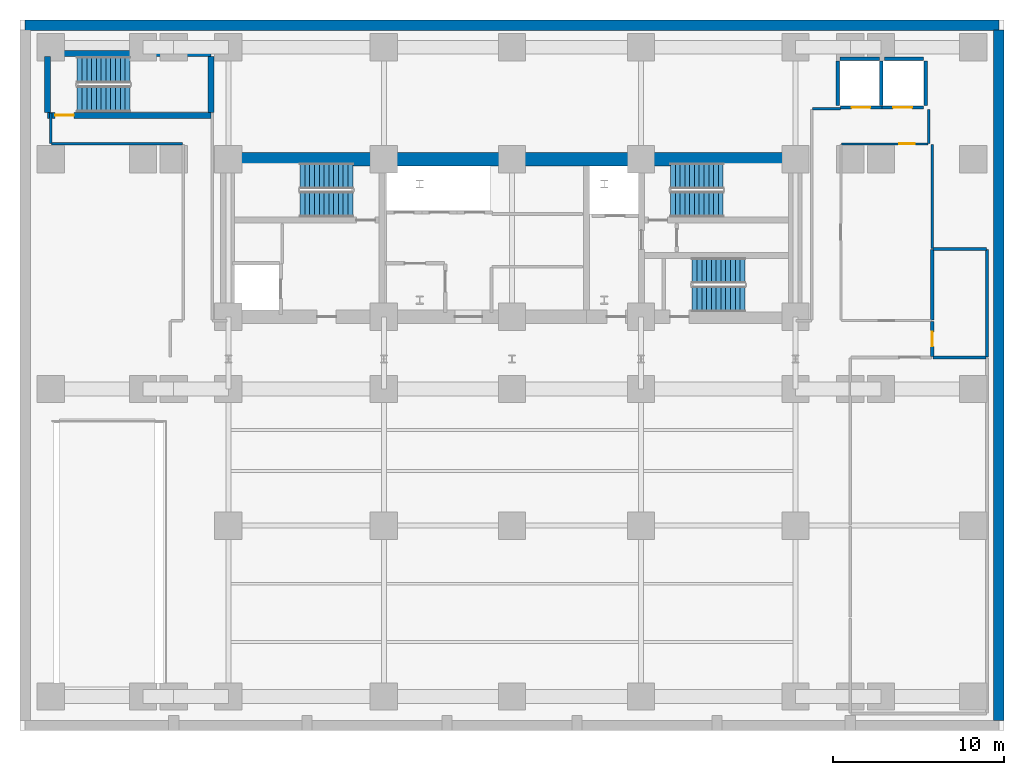
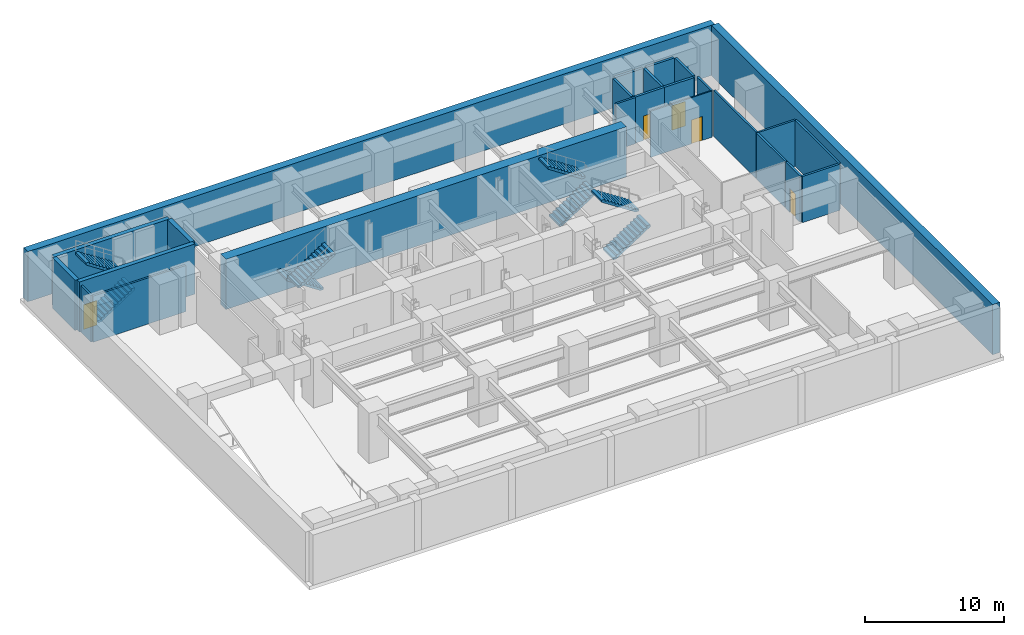
# One storey, part 4 of 8: 25 walls, 8 stair flights, 5 doors, 5 openings, 4 elements without a shape of their own.
"""IFC4 building model written with IfcOpenShell, lengths in metres."""

from ifc_helpers import new_model, si_unit, direction, frame, frame_2d, origin, place, context, subcontext, project, spatial, polyline, rectangle, outline, extrude, material, layer, layer_set, type_object, element, fill, aggregate, save


model = new_model("IFC4")

# Units and contexts
model_context = context("Model", 3, precision=1e-05, world=origin(), true_north=direction((0.0, 1.0)))
body_context = subcontext(model_context, "Body", "Model", "MODEL_VIEW")
ifc_project = project(units=[si_unit("LENGTHUNIT", "METRE"), si_unit("AREAUNIT", "SQUARE_METRE"), si_unit("VOLUMEUNIT", "CUBIC_METRE"), si_unit("PLANEANGLEUNIT", "RADIAN"), si_unit("MASSUNIT", "GRAM", prefix="KILO")], contexts=[model_context])

# Site, building, storey
site_placement = place(None, origin())
site = spatial("IfcSite", under=ifc_project, at=site_placement, CompositionType="ELEMENT")
building_placement = place(site_placement, origin())
building = spatial("IfcBuilding", under=site, at=building_placement, Name="Zarnavel Station Tower", CompositionType="ELEMENT")
storey_placement = place(building_placement, frame((0.0, 0.0, -4.39990234375)))
storey = spatial("IfcBuildingStorey", under=building, at=storey_placement, Name="B01", CompositionType="ELEMENT", Elevation=-4.39990234375)

# Wall
ifc_material_1 = material(Name="Concrete C50/60", Category="concrete")
ifc_layer_1 = layer(ifc_material_1, 0.35009765625)
ifc_layer_set_1 = layer_set([ifc_layer_1], Name="CW_350")
wall_type_1 = type_object("IfcWallType", Name="CW_350", PredefinedType="SHEAR", material=ifc_layer_set_1)
wall_1_placement = place(storey_placement, frame((1.6201171875, 43.239990234375, 0.0), z_axis=(0.0, 0.0, 1.0), x_axis=(1.0, 0.0, 0.0)))
element("IfcWall", 1, at=wall_1_placement, inside=storey, type_object=wall_type_1, Name="B01 Rear Core Shear Wall ST4-N", PredefinedType="SHEAR", context=body_context, shape_type="SweptSolid", body=[
    extrude(rectangle(XDim=9.559814453125, YDim=0.35009765625, at=frame_2d((4.77978515625, 0.0))), origin(), (0.0, 0.0, 1.0), 4.39990234375),
])

# Wall, opening, door
wall_2_placement = place(storey_placement, frame((11.179931640625, 39.6201171875, 0.0), z_axis=(0.0, 0.0, 1.0), x_axis=(-1.0, 0.0, 0.0)))
wall_2 = element("IfcWall", 2, at=wall_2_placement, inside=storey, type_object=wall_type_1, Name="B01 Rear Core Shear Wall ST4-S", PredefinedType="SHEAR", context=body_context, shape_type="SweptSolid", body=[
    extrude(rectangle(XDim=9.559814453125, YDim=0.35009765625, at=frame_2d((4.77978515625, 0.0))), origin(), (0.0, 0.0, 1.0), 4.39990234375),
])
opening_1_placement = place(wall_2_placement, frame((8.030029296875, 0.0, 0.0)))
opening_1 = element("IfcOpeningElement", 3, at=opening_1_placement, cuts=wall_2, Name="Opening FD01", PredefinedType="OPENING", context=body_context, shape_type="SweptSolid", body=[
    extrude(rectangle(XDim=1.10009765625, YDim=2.14990234375, at=frame_2d((0.550048828125, 1.074951171875))), frame((0.0, 0.18505859375, 0.0), z_axis=(0.0, -1.0, 0.0), x_axis=(1.0, 0.0, 0.0)), (0.0, 0.0, 1.0), 0.3701171875),
])
ifc_material_2 = material(Name="Painted Galvanised Steel and Hardwood Leaf", Category="steel")
door_type_1 = type_object("IfcDoorType", Name="ID_STAIR_1100", OperationType="NOTDEFINED", PredefinedType="DOOR", material=ifc_material_2)
door_1_placement = place(opening_1_placement, origin())
door_1 = element("IfcDoor", 4, at=door_1_placement, inside=storey, type_object=door_type_1, Name="B01 Podium Stair ST4 Fire Door", OperationType="SINGLE_SWING_RIGHT", OverallHeight=2.14990234375, OverallWidth=1.10009765625, PredefinedType="DOOR", context=body_context, shape_type="SweptSolid", body=[
    extrude(rectangle(XDim=1.10009765625, YDim=2.14990234375, at=frame_2d((0.550048828125, 1.074951171875))), frame((0.0, 0.02490234375, 0.0), z_axis=(0.0, -1.0, 0.0), x_axis=(1.0, 0.0, 0.0)), (0.0, 0.0, 1.0), 0.050048828125),
])
fill(opening_1, door_1)

# Walls
for number, where, z_axis, x_axis, name in (
    (5, (1.6201171875, 39.794921875, 0.0), (0.0, 0.0, 1.0), (0.0, 1.0, 0.0), "B01 Rear Core Shear Wall ST4-W"),
    (6, (11.179931640625, 39.794921875, 0.0), (0.0, 0.0, 1.0), (0.0, 1.0, 0.0), "B01 Rear Core Shear Wall ST4-E"),
):
    element("IfcWall", number, at=place(storey_placement, frame(where, z_axis=z_axis, x_axis=x_axis)), inside=storey, type_object=wall_type_1, Name=name, PredefinedType="SHEAR", context=body_context, shape_type="SweptSolid", body=[
        extrude(rectangle(XDim=3.27001953125, YDim=0.35009765625, at=frame_2d((1.635009765625, 0.0))), origin(), (0.0, 0.0, 1.0), 4.39990234375),
    ])
ifc_material_3 = material(Name="Concrete C60/75", Category="concrete")
ifc_layer_2 = layer(ifc_material_3, 0.800048828125)
ifc_layer_set_2 = layer_set([ifc_layer_2], Name="CW_800")
wall_type_2 = type_object("IfcWallType", Name="CW_800", PredefinedType="SHEAR", material=ifc_layer_set_2)
wall_3_placement = place(storey_placement, frame((12.14990234375, 37.050048828125, 0.0), z_axis=(0.0, 0.0, 1.0), x_axis=(1.0, 0.0, 0.0)))
element("IfcWall", 7, at=wall_3_placement, inside=storey, type_object=wall_type_2, Name="B01 Rear Core Shear Wall N", PredefinedType="SHEAR", context=body_context, shape_type="SweptSolid", body=[
    extrude(rectangle(XDim=33.22998046875, YDim=0.800048828125, at=frame_2d((16.614990234375, 0.0))), origin(), (0.0, 0.0, 1.0), 4.39990234375),
])
ifc_material_4 = material(Name="Gypsum Twin-Stud Acoustic Fire Partition", Category="concrete")
ifc_layer_3 = layer(ifc_material_4, 0.159912109375)
ifc_layer_set_3 = layer_set([ifc_layer_3], Name="PT_DEMISE_160")
wall_type_3 = type_object("IfcWallType", Name="PT_DEMISE_160", PredefinedType="PARTITIONING", material=ifc_layer_set_3)
wall_4_placement = place(storey_placement, frame((1.830078125, 37.949951171875, 0.0), z_axis=(0.0, 0.0, 1.0), x_axis=(1.0, 0.0, 0.0)))
element("IfcWall", 8, at=wall_4_placement, inside=storey, type_object=wall_type_3, Name="B01 Enclosure Wall CON-NW", PredefinedType="PARTITIONING", context=body_context, shape_type="SweptSolid", body=[
    extrude(rectangle(XDim=7.68994140625, YDim=0.159912109375, at=frame_2d((3.844970703125, 0.0))), origin(), (0.0, 0.0, 1.0), 4.0498046875),
])
wall_5_placement = place(storey_placement, frame((1.800048828125, 37.97998046875, 0.0), z_axis=(0.0, 0.0, 1.0), x_axis=(0.0, 1.0, 0.0)))
element("IfcWall", 9, at=wall_5_placement, inside=storey, type_object=wall_type_3, Name="B01 Enclosure Wall CON-NW", PredefinedType="PARTITIONING", context=body_context, shape_type="SweptSolid", body=[
    extrude(rectangle(XDim=1.784912109375, YDim=0.159912109375, at=frame_2d((0.892578125, 0.0))), origin(), (0.0, 0.0, 1.0), 4.0498046875),
])
wall_6_placement = place(storey_placement, frame((46.3798828125, 40.0, 0.0), z_axis=(0.0, 0.0, 1.0), x_axis=(1.0, 0.0, 0.0)))
element("IfcWall", 10, at=wall_6_placement, inside=storey, type_object=wall_type_3, Name="B01 Enclosure Wall CON-E", PredefinedType="PARTITIONING", context=body_context, shape_type="SweptSolid", body=[
    extrude(rectangle(XDim=1.64013671875, YDim=0.159912109375, at=frame_2d((0.820068359375, 0.0))), origin(), (0.0, 0.0, 1.0), 4.0498046875),
])
wall_7_placement = place(storey_placement, frame((53.199951171875, 37.97998046875, 0.0), z_axis=(0.0, 0.0, 1.0), x_axis=(0.0, 1.0, 0.0)))
element("IfcWall", 11, at=wall_7_placement, inside=storey, type_object=wall_type_3, Name="B01 Enclosure Wall PLLOB", PredefinedType="PARTITIONING", context=body_context, shape_type="SweptSolid", body=[
    extrude(rectangle(XDim=1.989990234375, YDim=0.159912109375, at=frame_2d((0.9951171875, 0.0))), origin(), (0.0, 0.0, 1.0), 4.0498046875),
])
wall_8_placement = place(storey_placement, frame((53.429931640625, 31.800048828125, 0.0), z_axis=(0.0, 0.0, 1.0), x_axis=(1.0, 0.0, 0.0)))
element("IfcWall", 12, at=wall_8_placement, inside=storey, type_object=wall_type_3, Name="B01 Enclosure Wall BWC", PredefinedType="PARTITIONING", context=body_context, shape_type="SweptSolid", body=[
    extrude(rectangle(XDim=3.14013671875, YDim=0.159912109375, at=frame_2d((1.570068359375, 0.0))), origin(), (0.0, 0.0, 1.0), 4.0498046875),
])
wall_9_placement = place(storey_placement, frame((56.60009765625, 25.47998046875, 0.0), z_axis=(0.0, 0.0, 1.0), x_axis=(0.0, 1.0, 0.0)))
element("IfcWall", 13, at=wall_9_placement, inside=storey, type_object=wall_type_3, Name="B01 Enclosure Wall BWC", PredefinedType="PARTITIONING", context=body_context, shape_type="SweptSolid", body=[
    extrude(rectangle(XDim=6.2900390625, YDim=0.159912109375, at=frame_2d((3.14501953125, 0.0))), origin(), (0.0, 0.0, 1.0), 4.0498046875),
])
wall_10_placement = place(storey_placement, frame((53.39990234375, 31.830078125, 0.0), z_axis=(0.0, 0.0, 1.0), x_axis=(0.0, 1.0, 0.0)))
element("IfcWall", 14, at=wall_10_placement, inside=storey, type_object=wall_type_3, Name="B01 Enclosure Wall CYC", PredefinedType="PARTITIONING", context=body_context, shape_type="SweptSolid", body=[
    extrude(rectangle(XDim=6.08984375, YDim=0.159912109375, at=frame_2d((3.044921875, 0.0))), origin(), (0.0, 0.0, 1.0), 4.0498046875),
])

# Wall, opening, door
ifc_material_5 = material(Name="Gypsum Metal-Stud Interior Partition", Category="concrete")
ifc_layer_4 = layer(ifc_material_5, 0.1201171875)
ifc_layer_set_4 = layer_set([ifc_layer_4], Name="PT_ROOM_120")
wall_type_4 = type_object("IfcWallType", Name="PT_ROOM_120", PredefinedType="PARTITIONING", material=ifc_layer_set_4)
wall_11_placement = place(storey_placement, frame((48.090087890625, 37.949951171875, 0.0), z_axis=(0.0, 0.0, 1.0), x_axis=(1.0, 0.0, 0.0)))
wall_11 = element("IfcWall", 15, at=wall_11_placement, inside=storey, type_object=wall_type_4, Name="B01 Partition PLLOB-CYC", PredefinedType="PARTITIONING", context=body_context, shape_type="SweptSolid", body=[
    extrude(rectangle(XDim=5.06982421875, YDim=0.1201171875, at=frame_2d((2.534912109375, 0.0))), origin(), (0.0, 0.0, 1.0), 4.0498046875),
])
opening_2_placement = place(wall_11_placement, frame((3.381591796875, 0.0, 0.0)))
opening_2 = element("IfcOpeningElement", 16, at=opening_2_placement, cuts=wall_11, Name="Opening ID01", PredefinedType="OPENING", context=body_context, shape_type="SweptSolid", body=[
    extrude(rectangle(XDim=0.89990234375, YDim=2.10009765625, at=frame_2d((0.449951171875, 1.050048828125))), frame((0.0, 0.070068359375, 0.0), z_axis=(0.0, -1.0, 0.0), x_axis=(1.0, 0.0, 0.0)), (0.0, 0.0, 1.0), 0.14013671875),
])
ifc_material_6 = material(Name="Painted Galvanised Steel and Hardwood Leaf", Category="steel")
door_type_2 = type_object("IfcDoorType", Name="ID_ROOM_900", OperationType="NOTDEFINED", PredefinedType="DOOR", material=ifc_material_6)
door_2_placement = place(opening_2_placement, origin())
door_2 = element("IfcDoor", 17, at=door_2_placement, inside=storey, type_object=door_type_2, Name="B01 Door PLLOB-CYC", OperationType="SINGLE_SWING_LEFT", OverallHeight=2.10009765625, OverallWidth=0.89990234375, PredefinedType="DOOR", context=body_context, shape_type="SweptSolid", body=[
    extrude(rectangle(XDim=0.89990234375, YDim=2.10009765625, at=frame_2d((0.449951171875, 1.050048828125))), frame((0.0, 0.02490234375, 0.0), z_axis=(0.0, -1.0, 0.0), x_axis=(1.0, 0.0, 0.0)), (0.0, 0.0, 1.0), 0.050048828125),
])
fill(opening_2, door_2)

ifc_material_7 = material(Name="Precast concrete C45/55 (Fire Shaft Blockwork)", Category="masonry")
ifc_layer_5 = layer(ifc_material_7, 0.199951171875)
ifc_layer_set_5 = layer_set([ifc_layer_5], Name="PT_SHAFT_200")
wall_type_5 = type_object("IfcWallType", Name="PT_SHAFT_200", PredefinedType="PARTITIONING", material=ifc_layer_set_5)
wall_12_placement = place(storey_placement, frame((48.02001953125, 40.080078125, 0.0), z_axis=(0.0, 0.0, 1.0), x_axis=(1.0, 0.0, 0.0)))
wall_12 = element("IfcWall", 18, at=wall_12_placement, inside=storey, type_object=wall_type_5, Name="B01 Lift PL-P1 Shaft Front Wall", PredefinedType="PARTITIONING", context=body_context, shape_type="SweptSolid", body=[
    extrude(rectangle(XDim=2.429931640625, YDim=0.199951171875, at=frame_2d((1.21484375, 0.0))), origin(), (0.0, 0.0, 1.0), 4.0498046875),
])
opening_3_placement = place(wall_12_placement, frame((0.6650390625, 0.0, 0.0)))
opening_3 = element("IfcOpeningElement", 19, at=opening_3_placement, cuts=wall_12, Name="Opening LD02", PredefinedType="OPENING", context=body_context, shape_type="SweptSolid", body=[
    extrude(rectangle(XDim=1.10009765625, YDim=2.14990234375, at=frame_2d((0.550048828125, 1.074951171875))), frame((0.0, 0.10986328125, 0.0), z_axis=(0.0, -1.0, 0.0), x_axis=(1.0, 0.0, 0.0)), (0.0, 0.0, 1.0), 0.219970703125),
])
ifc_material_8 = material(Name="Painted Galvanised Steel and Hardwood Leaf", Category="steel")
door_type_3 = type_object("IfcDoorType", Name="LD_PAX_1100", OperationType="DOUBLE_DOOR_SLIDING", PredefinedType="DOOR", material=ifc_material_8)
door_3_placement = place(opening_3_placement, origin())
door_3 = element("IfcDoor", 20, at=door_3_placement, inside=storey, type_object=door_type_3, Name="B01 Lift PL-P1 Sliding Landing Door", OperationType="DOUBLE_DOOR_SLIDING", OverallHeight=2.14990234375, OverallWidth=1.10009765625, PredefinedType="DOOR", context=body_context, shape_type="SweptSolid", body=[
    extrude(rectangle(XDim=1.10009765625, YDim=2.14990234375, at=frame_2d((0.550048828125, 1.074951171875))), frame((0.0, 0.02490234375, 0.0), z_axis=(0.0, -1.0, 0.0), x_axis=(1.0, 0.0, 0.0)), (0.0, 0.0, 1.0), 0.050048828125),
])
fill(opening_3, door_3)

# Walls
wall_13_placement = place(storey_placement, frame((48.0, 42.919921875, 0.0), z_axis=(0.0, 0.0, 1.0), x_axis=(1.0, 0.0, 0.0)))
element("IfcWall", 21, at=wall_13_placement, inside=storey, type_object=wall_type_5, Name="B01 Lift PL-P1 Shaft Wall N", PredefinedType="PARTITIONING", context=body_context, shape_type="SweptSolid", body=[
    extrude(rectangle(XDim=2.300048828125, YDim=0.199951171875, at=frame_2d((1.14990234375, 0.0))), origin(), (0.0, 0.0, 1.0), 4.0498046875),
])
for number, where, z_axis, x_axis, name in (
    (22, (47.8798828125, 40.199951171875, 0.0), (0.0, 0.0, 1.0), (0.0, 1.0, 0.0), "B01 Lift PL-P1 Shaft Wall W"),
    (23, (50.419921875, 40.199951171875, 0.0), (0.0, 0.0, 1.0), (0.0, 1.0, 0.0), "B01 Lift PL-P1 Shaft Wall E"),
):
    element("IfcWall", number, at=place(storey_placement, frame(where, z_axis=z_axis, x_axis=x_axis)), inside=storey, type_object=wall_type_5, Name=name, PredefinedType="PARTITIONING", context=body_context, shape_type="SweptSolid", body=[
        extrude(rectangle(XDim=2.60009765625, YDim=0.199951171875, at=frame_2d((1.300048828125, 0.0))), origin(), (0.0, 0.0, 1.0), 4.0498046875),
    ])

# Wall, opening, door
wall_14_placement = place(storey_placement, frame((50.449951171875, 40.080078125, 0.0), z_axis=(0.0, 0.0, 1.0), x_axis=(1.0, 0.0, 0.0)))
wall_14 = element("IfcWall", 24, at=wall_14_placement, inside=storey, type_object=wall_type_5, Name="B01 Lift PL-P2 Shaft Front Wall", PredefinedType="PARTITIONING", context=body_context, shape_type="SweptSolid", body=[
    extrude(rectangle(XDim=2.429931640625, YDim=0.199951171875, at=frame_2d((1.21484375, 0.0))), origin(), (0.0, 0.0, 1.0), 4.0498046875),
])
opening_4_placement = place(wall_14_placement, frame((0.6650390625, 0.0, 0.0)))
opening_4 = element("IfcOpeningElement", 25, at=opening_4_placement, cuts=wall_14, Name="Opening LD02", PredefinedType="OPENING", context=body_context, shape_type="SweptSolid", body=[
    extrude(rectangle(XDim=1.10009765625, YDim=2.14990234375, at=frame_2d((0.550048828125, 1.074951171875))), frame((0.0, 0.10986328125, 0.0), z_axis=(0.0, -1.0, 0.0), x_axis=(1.0, 0.0, 0.0)), (0.0, 0.0, 1.0), 0.219970703125),
])
door_4_placement = place(opening_4_placement, origin())
door_4 = element("IfcDoor", 26, at=door_4_placement, inside=storey, type_object=door_type_3, Name="B01 Lift PL-P2 Sliding Landing Door", OperationType="DOUBLE_DOOR_SLIDING", OverallHeight=2.14990234375, OverallWidth=1.10009765625, PredefinedType="DOOR", context=body_context, shape_type="SweptSolid", body=[
    extrude(rectangle(XDim=1.10009765625, YDim=2.14990234375, at=frame_2d((0.550048828125, 1.074951171875))), frame((0.0, 0.02490234375, 0.0), z_axis=(0.0, -1.0, 0.0), x_axis=(1.0, 0.0, 0.0)), (0.0, 0.0, 1.0), 0.050048828125),
])
fill(opening_4, door_4)

# Walls
wall_15_placement = place(storey_placement, frame((50.60009765625, 42.919921875, 0.0), z_axis=(0.0, 0.0, 1.0), x_axis=(1.0, 0.0, 0.0)))
element("IfcWall", 27, at=wall_15_placement, inside=storey, type_object=wall_type_5, Name="B01 Lift PL-P2 Shaft Wall N", PredefinedType="PARTITIONING", context=body_context, shape_type="SweptSolid", body=[
    extrude(rectangle(XDim=2.2998046875, YDim=0.199951171875, at=frame_2d((1.14990234375, 0.0))), origin(), (0.0, 0.0, 1.0), 4.0498046875),
])
wall_16_placement = place(storey_placement, frame((53.02001953125, 40.199951171875, 0.0), z_axis=(0.0, 0.0, 1.0), x_axis=(0.0, 1.0, 0.0)))
element("IfcWall", 28, at=wall_16_placement, inside=storey, type_object=wall_type_5, Name="B01 Lift PL-P2 Shaft Wall E", PredefinedType="PARTITIONING", context=body_context, shape_type="SweptSolid", body=[
    extrude(rectangle(XDim=2.60009765625, YDim=0.199951171875, at=frame_2d((1.300048828125, 0.0))), origin(), (0.0, 0.0, 1.0), 4.0498046875),
])

# Wall, opening, door
ifc_material_9 = material(Name="Moisture-Resistant Plumbing Chase Wall", Category="concrete")
ifc_layer_6 = layer(ifc_material_9, 0.179931640625)
ifc_layer_set_6 = layer_set([ifc_layer_6], Name="PW_PLUMB_180")
wall_type_6 = type_object("IfcWallType", Name="PW_PLUMB_180", PredefinedType="PLUMBINGWALL", material=ifc_layer_set_6)
wall_17_placement = place(storey_placement, frame((53.39990234375, 25.489990234375, 0.0), z_axis=(0.0, 0.0, 1.0), x_axis=(0.0, 1.0, 0.0)))
wall_17 = element("IfcWall", 29, at=wall_17_placement, inside=storey, type_object=wall_type_6, Name="B01 Partition CON-B1-BWC", PredefinedType="PLUMBINGWALL", context=body_context, shape_type="SweptSolid", body=[
    extrude(rectangle(XDim=2.070068359375, YDim=0.179931640625, at=frame_2d((1.03515625, 0.0))), origin(), (0.0, 0.0, 1.0), 4.0498046875),
])
opening_5_placement = place(wall_17_placement, frame((0.610107421875, 0.0, 0.0)))
opening_5 = element("IfcOpeningElement", 30, at=opening_5_placement, cuts=wall_17, Name="Opening ID02", PredefinedType="OPENING", context=body_context, shape_type="SweptSolid", body=[
    extrude(rectangle(XDim=0.85009765625, YDim=2.10009765625, at=frame_2d((0.425048828125, 1.050048828125))), frame((0.0, 0.099853515625, 0.0), z_axis=(0.0, -1.0, 0.0), x_axis=(1.0, 0.0, 0.0)), (0.0, 0.0, 1.0), 0.199951171875),
])
ifc_material_10 = material(Name="Painted Galvanised Steel and Hardwood Leaf", Category="steel")
door_type_4 = type_object("IfcDoorType", Name="ID_BATH_850", OperationType="NOTDEFINED", PredefinedType="DOOR", material=ifc_material_10)
door_5_placement = place(opening_5_placement, origin())
door_5 = element("IfcDoor", 31, at=door_5_placement, inside=storey, type_object=door_type_4, Name="B01 Door CON-B1-BWC", OperationType="SINGLE_SWING_RIGHT", OverallHeight=2.10009765625, OverallWidth=0.85009765625, PredefinedType="DOOR", context=body_context, shape_type="SweptSolid", body=[
    extrude(rectangle(XDim=0.85009765625, YDim=2.10009765625, at=frame_2d((0.425048828125, 1.050048828125))), frame((0.0, 0.02490234375, 0.0), z_axis=(0.0, -1.0, 0.0), x_axis=(1.0, 0.0, 0.0)), (0.0, 0.0, 1.0), 0.050048828125),
])
fill(opening_5, door_5)

# Walls
wall_18_placement = place(storey_placement, frame((53.43994140625, 25.449951171875, 0.0), z_axis=(0.0, 0.0, 1.0), x_axis=(1.0, 0.0, 0.0)))
element("IfcWall", 32, at=wall_18_placement, inside=storey, type_object=wall_type_6, Name="B01 Partition STP-E-BWC", PredefinedType="PLUMBINGWALL", context=body_context, shape_type="SweptSolid", body=[
    extrude(rectangle(XDim=3.1201171875, YDim=0.179931640625, at=frame_2d((1.56005859375, 0.0))), origin(), (0.0, 0.0, 1.0), 4.0498046875),
])
wall_19_placement = place(storey_placement, frame((53.39990234375, 27.639892578125, 0.0), z_axis=(0.0, 0.0, 1.0), x_axis=(0.0, 1.0, 0.0)))
element("IfcWall", 33, at=wall_19_placement, inside=storey, type_object=wall_type_6, Name="B01 Partition BWC-CYC", PredefinedType="PLUMBINGWALL", context=body_context, shape_type="SweptSolid", body=[
    extrude(rectangle(XDim=4.1201171875, YDim=0.179931640625, at=frame_2d((2.06005859375, 0.0))), origin(), (0.0, 0.0, 1.0), 4.0498046875),
])
ifc_material_11 = material(Name="Concrete C45/55", Category="concrete")
ifc_layer_7 = layer(ifc_material_11, 0.60009765625)
ifc_layer_set_7 = layer_set([ifc_layer_7], Name="RW_600")
wall_type_7 = type_object("IfcWallType", Name="RW_600", PredefinedType="USERDEFINED", material=ifc_layer_set_7)
wall_20_placement = place(storey_placement, frame((0.300048828125, 44.89990234375, 0.0), z_axis=(0.0, 0.0, 1.0), x_axis=(1.0, 0.0, 0.0)))
element("IfcWall", 34, at=wall_20_placement, inside=storey, type_object=wall_type_7, Name="B01 Perimeter Retaining Wall N", ObjectType="RETAININGWALL", PredefinedType="USERDEFINED", context=body_context, shape_type="SweptSolid", body=[
    extrude(rectangle(XDim=57.0, YDim=0.60009765625, at=frame_2d((28.5, 0.0))), origin(), (0.0, 0.0, 1.0), 4.39990234375),
])
wall_21_placement = place(storey_placement, frame((57.300048828125, 4.199951171875, 0.0), z_axis=(0.0, 0.0, 1.0), x_axis=(0.0, 1.0, 0.0)))
element("IfcWall", 35, at=wall_21_placement, inside=storey, type_object=wall_type_7, Name="B01 Perimeter Retaining Wall E", ObjectType="RETAININGWALL", PredefinedType="USERDEFINED", context=body_context, shape_type="SweptSolid", body=[
    extrude(rectangle(XDim=40.400146484375, YDim=0.60009765625, at=frame_2d((20.2001953125, 0.0))), origin(), (0.0, 0.0, 1.0), 4.39990234375),
])

# Stair, stair flights
ifc_material_12 = material(Name="Concrete C45/55", Category="concrete")
stair_type_1 = type_object("IfcStairType", Name="ST_CORE_150", PredefinedType="HALF_TURN_STAIR", material=ifc_material_12)
stair_1_placement = place(storey_placement, origin())
stair_1 = element("IfcStair", 36, at=stair_1_placement, inside=storey, type_object=stair_type_1, Name="B01 Core Exit Stair ST1", PredefinedType="HALF_TURN_STAIR")
ifc_material_13 = material(Name="Concrete C45/55", Category="concrete")
ifc_layer_8 = layer(ifc_material_13, 0.179931640625)
ifc_layer_set_8 = layer_set([ifc_layer_8], Name="ST_CORE_150_FLT")
stair_flight_type_1 = type_object("IfcStairFlightType", Name="ST_CORE_150_FLT", PredefinedType="STRAIGHT", material=ifc_layer_set_8)
stair_flight_1_placement = place(storey_placement, frame((19.47998046875, 36.070068359375, 0.0), z_axis=(0.0, 0.0, 1.0), x_axis=(-1.0, 0.0, 0.0)))
stair_flight_1 = element("IfcStairFlight", 37, at=stair_flight_1_placement, type_object=stair_flight_type_1, Name="ST1 flight 1", NumberOfRisers=12, NumberOfTreads=11, PredefinedType="STRAIGHT", RiserHeight=0.183333333, TreadLength=0.28, context=body_context, shape_type="SweptSolid", body=[
    extrude(outline(polyline([(0.0, 0.0), (0.0, 0.183349609375), (0.280029296875, 0.183349609375), (0.280029296875, 0.36669921875), (0.56005859375, 0.36669921875), (0.56005859375, 0.550048828125), (0.840087890625, 0.550048828125), (0.840087890625, 0.7333984375), (1.1201171875, 0.7333984375), (1.1201171875, 0.916748046875), (1.39990234375, 0.916748046875), (1.39990234375, 1.10009765625), (1.679931640625, 1.10009765625), (1.679931640625, 1.283447265625), (1.9599609375, 1.283447265625), (1.9599609375, 1.466552734375), (2.239990234375, 1.466552734375), (2.239990234375, 1.64990234375), (2.52001953125, 1.64990234375), (2.52001953125, 1.833251953125), (2.800048828125, 1.833251953125), (2.800048828125, 2.0166015625), (3.080078125, 2.0166015625), (3.080078125, 2.199951171875), (3.080078125, 1.83740234375), (0.273681640625, 0.0), (0.0, 0.0)])), frame((0.0, 0.75, 0.0), z_axis=(0.0, -1.0, 0.0), x_axis=(1.0, 0.0, 0.0)), (0.0, 0.0, 1.0), 1.5),
])
stair_flight_2_placement = place(storey_placement, frame((16.39990234375, 34.409912109375, 2.199951171875), z_axis=(0.0, 0.0, 1.0), x_axis=(1.0, 0.0, 0.0)))
stair_flight_2 = element("IfcStairFlight", 38, at=stair_flight_2_placement, type_object=stair_flight_type_1, Name="ST1 flight 2", NumberOfRisers=12, NumberOfTreads=11, PredefinedType="STRAIGHT", RiserHeight=0.183333333, TreadLength=0.28, context=body_context, shape_type="SweptSolid", body=[
    extrude(outline(polyline([(0.0, 0.0), (0.0, 0.183349609375), (0.280029296875, 0.183349609375), (0.280029296875, 0.36669921875), (0.56005859375, 0.36669921875), (0.56005859375, 0.550048828125), (0.840087890625, 0.550048828125), (0.840087890625, 0.7333984375), (1.1201171875, 0.7333984375), (1.1201171875, 0.916748046875), (1.39990234375, 0.916748046875), (1.39990234375, 1.10009765625), (1.679931640625, 1.10009765625), (1.679931640625, 1.283447265625), (1.9599609375, 1.283447265625), (1.9599609375, 1.466552734375), (2.239990234375, 1.466552734375), (2.239990234375, 1.64990234375), (2.52001953125, 1.64990234375), (2.52001953125, 1.833251953125), (2.800048828125, 1.833251953125), (2.800048828125, 2.0166015625), (3.080078125, 2.0166015625), (3.080078125, 2.199951171875), (3.080078125, 1.83740234375), (0.273681640625, 0.0), (0.0, 0.0)])), frame((0.0, 0.75, 0.0), z_axis=(0.0, -1.0, 0.0), x_axis=(1.0, 0.0, 0.0)), (0.0, 0.0, 1.0), 1.5),
])
aggregate(stair_1, [stair_flight_1, stair_flight_2])

stair_2_placement = place(storey_placement, origin())
stair_2 = element("IfcStair", 39, at=stair_2_placement, inside=storey, type_object=stair_type_1, Name="B01 Core Exit Stair ST2", PredefinedType="HALF_TURN_STAIR")
stair_flight_3_placement = place(storey_placement, frame((38.080078125, 34.409912109375, 0.0), z_axis=(0.0, 0.0, 1.0), x_axis=(1.0, 0.0, 0.0)))
stair_flight_3 = element("IfcStairFlight", 40, at=stair_flight_3_placement, type_object=stair_flight_type_1, Name="ST2 flight 1", NumberOfRisers=12, NumberOfTreads=11, PredefinedType="STRAIGHT", RiserHeight=0.183333333, TreadLength=0.28, context=body_context, shape_type="SweptSolid", body=[
    extrude(outline(polyline([(0.0, 0.0), (0.0, 0.183349609375), (0.280029296875, 0.183349609375), (0.280029296875, 0.36669921875), (0.56005859375, 0.36669921875), (0.56005859375, 0.550048828125), (0.840087890625, 0.550048828125), (0.840087890625, 0.7333984375), (1.1201171875, 0.7333984375), (1.1201171875, 0.916748046875), (1.39990234375, 0.916748046875), (1.39990234375, 1.10009765625), (1.679931640625, 1.10009765625), (1.679931640625, 1.283447265625), (1.9599609375, 1.283447265625), (1.9599609375, 1.466552734375), (2.239990234375, 1.466552734375), (2.239990234375, 1.64990234375), (2.52001953125, 1.64990234375), (2.52001953125, 1.833251953125), (2.800048828125, 1.833251953125), (2.800048828125, 2.0166015625), (3.080078125, 2.0166015625), (3.080078125, 2.199951171875), (3.080078125, 1.83740234375), (0.273681640625, 0.0), (0.0, 0.0)])), frame((0.0, 0.75, 0.0), z_axis=(0.0, -1.0, 0.0), x_axis=(1.0, 0.0, 0.0)), (0.0, 0.0, 1.0), 1.5),
])
stair_flight_4_placement = place(storey_placement, frame((41.159912109375, 36.070068359375, 2.199951171875), z_axis=(0.0, 0.0, 1.0), x_axis=(-1.0, 0.0, 0.0)))
stair_flight_4 = element("IfcStairFlight", 41, at=stair_flight_4_placement, type_object=stair_flight_type_1, Name="ST2 flight 2", NumberOfRisers=12, NumberOfTreads=11, PredefinedType="STRAIGHT", RiserHeight=0.183333333, TreadLength=0.28, context=body_context, shape_type="SweptSolid", body=[
    extrude(outline(polyline([(0.0, 0.0), (0.0, 0.183349609375), (0.280029296875, 0.183349609375), (0.280029296875, 0.36669921875), (0.56005859375, 0.36669921875), (0.56005859375, 0.550048828125), (0.840087890625, 0.550048828125), (0.840087890625, 0.7333984375), (1.1201171875, 0.7333984375), (1.1201171875, 0.916748046875), (1.39990234375, 0.916748046875), (1.39990234375, 1.10009765625), (1.679931640625, 1.10009765625), (1.679931640625, 1.283447265625), (1.9599609375, 1.283447265625), (1.9599609375, 1.466552734375), (2.239990234375, 1.466552734375), (2.239990234375, 1.64990234375), (2.52001953125, 1.64990234375), (2.52001953125, 1.833251953125), (2.800048828125, 1.833251953125), (2.800048828125, 2.0166015625), (3.080078125, 2.0166015625), (3.080078125, 2.199951171875), (3.080078125, 1.83740234375), (0.273681640625, 0.0), (0.0, 0.0)])), frame((0.0, 0.75, 0.0), z_axis=(0.0, -1.0, 0.0), x_axis=(1.0, 0.0, 0.0)), (0.0, 0.0, 1.0), 1.5),
])
aggregate(stair_2, [stair_flight_3, stair_flight_4])

stair_3_placement = place(storey_placement, origin())
stair_3 = element("IfcStair", 42, at=stair_3_placement, inside=storey, type_object=stair_type_1, Name="B01 Core Exit Stair ST3", PredefinedType="HALF_TURN_STAIR")
stair_flight_5_placement = place(storey_placement, frame((39.35009765625, 28.8701171875, 0.0), z_axis=(0.0, 0.0, 1.0), x_axis=(1.0, 0.0, 0.0)))
stair_flight_5 = element("IfcStairFlight", 43, at=stair_flight_5_placement, type_object=stair_flight_type_1, Name="ST3 flight 1", NumberOfRisers=12, NumberOfTreads=11, PredefinedType="STRAIGHT", RiserHeight=0.183333333, TreadLength=0.28, context=body_context, shape_type="SweptSolid", body=[
    extrude(outline(polyline([(0.0, 0.0), (0.0, 0.183349609375), (0.280029296875, 0.183349609375), (0.280029296875, 0.36669921875), (0.56005859375, 0.36669921875), (0.56005859375, 0.550048828125), (0.840087890625, 0.550048828125), (0.840087890625, 0.7333984375), (1.1201171875, 0.7333984375), (1.1201171875, 0.916748046875), (1.39990234375, 0.916748046875), (1.39990234375, 1.10009765625), (1.679931640625, 1.10009765625), (1.679931640625, 1.283447265625), (1.9599609375, 1.283447265625), (1.9599609375, 1.466552734375), (2.239990234375, 1.466552734375), (2.239990234375, 1.64990234375), (2.52001953125, 1.64990234375), (2.52001953125, 1.833251953125), (2.800048828125, 1.833251953125), (2.800048828125, 2.0166015625), (3.080078125, 2.0166015625), (3.080078125, 2.199951171875), (3.080078125, 1.83740234375), (0.273681640625, 0.0), (0.0, 0.0)])), frame((0.0, 0.75, 0.0), z_axis=(0.0, -1.0, 0.0), x_axis=(1.0, 0.0, 0.0)), (0.0, 0.0, 1.0), 1.5),
])
stair_flight_6_placement = place(storey_placement, frame((42.429931640625, 30.530029296875, 2.199951171875), z_axis=(0.0, 0.0, 1.0), x_axis=(-1.0, 0.0, 0.0)))
stair_flight_6 = element("IfcStairFlight", 44, at=stair_flight_6_placement, type_object=stair_flight_type_1, Name="ST3 flight 2", NumberOfRisers=12, NumberOfTreads=11, PredefinedType="STRAIGHT", RiserHeight=0.183333333, TreadLength=0.28, context=body_context, shape_type="SweptSolid", body=[
    extrude(outline(polyline([(0.0, 0.0), (0.0, 0.183349609375), (0.280029296875, 0.183349609375), (0.280029296875, 0.36669921875), (0.56005859375, 0.36669921875), (0.56005859375, 0.550048828125), (0.840087890625, 0.550048828125), (0.840087890625, 0.7333984375), (1.1201171875, 0.7333984375), (1.1201171875, 0.916748046875), (1.39990234375, 0.916748046875), (1.39990234375, 1.10009765625), (1.679931640625, 1.10009765625), (1.679931640625, 1.283447265625), (1.9599609375, 1.283447265625), (1.9599609375, 1.466552734375), (2.239990234375, 1.466552734375), (2.239990234375, 1.64990234375), (2.52001953125, 1.64990234375), (2.52001953125, 1.833251953125), (2.800048828125, 1.833251953125), (2.800048828125, 2.0166015625), (3.080078125, 2.0166015625), (3.080078125, 2.199951171875), (3.080078125, 1.83740234375), (0.273681640625, 0.0), (0.0, 0.0)])), frame((0.0, 0.75, 0.0), z_axis=(0.0, -1.0, 0.0), x_axis=(1.0, 0.0, 0.0)), (0.0, 0.0, 1.0), 1.5),
])
aggregate(stair_3, [stair_flight_5, stair_flight_6])

ifc_material_14 = material(Name="Concrete C45/55", Category="concrete")
stair_type_2 = type_object("IfcStairType", Name="ST_POD_155", PredefinedType="HALF_TURN_STAIR", material=ifc_material_14)
stair_4_placement = place(storey_placement, origin())
stair_4 = element("IfcStair", 45, at=stair_4_placement, inside=storey, type_object=stair_type_2, Name="B01 Core Exit Stair ST4", PredefinedType="HALF_TURN_STAIR")
ifc_material_15 = material(Name="Concrete C45/55", Category="concrete")
ifc_layer_9 = layer(ifc_material_15, 0.179931640625)
ifc_layer_set_9 = layer_set([ifc_layer_9], Name="ST_POD_155_FLT")
stair_flight_type_2 = type_object("IfcStairFlightType", Name="ST_POD_155_FLT", PredefinedType="STRAIGHT", material=ifc_layer_set_9)
stair_flight_7_placement = place(storey_placement, frame((3.35009765625, 40.574951171875, 0.0), z_axis=(0.0, 0.0, 1.0), x_axis=(1.0, 0.0, 0.0)))
stair_flight_7 = element("IfcStairFlight", 46, at=stair_flight_7_placement, type_object=stair_flight_type_2, Name="ST4 flight 1", NumberOfRisers=12, NumberOfTreads=11, PredefinedType="STRAIGHT", RiserHeight=0.183333333, TreadLength=0.28, context=body_context, shape_type="SweptSolid", body=[
    extrude(outline(polyline([(0.0, 0.0), (0.0, 0.183349609375), (0.280029296875, 0.183349609375), (0.280029296875, 0.36669921875), (0.56005859375, 0.36669921875), (0.56005859375, 0.550048828125), (0.840087890625, 0.550048828125), (0.840087890625, 0.7333984375), (1.1201171875, 0.7333984375), (1.1201171875, 0.916748046875), (1.39990234375, 0.916748046875), (1.39990234375, 1.10009765625), (1.679931640625, 1.10009765625), (1.679931640625, 1.283447265625), (1.9599609375, 1.283447265625), (1.9599609375, 1.466552734375), (2.239990234375, 1.466552734375), (2.239990234375, 1.64990234375), (2.52001953125, 1.64990234375), (2.52001953125, 1.833251953125), (2.800048828125, 1.833251953125), (2.800048828125, 2.0166015625), (3.080078125, 2.0166015625), (3.080078125, 2.199951171875), (3.080078125, 1.83740234375), (0.273681640625, 0.0), (0.0, 0.0)])), frame((0.0, 0.77490234375, 0.0), z_axis=(0.0, -1.0, 0.0), x_axis=(1.0, 0.0, 0.0)), (0.0, 0.0, 1.0), 1.550048828125),
])
stair_flight_8_placement = place(storey_placement, frame((6.429931640625, 42.284912109375, 2.199951171875), z_axis=(0.0, 0.0, 1.0), x_axis=(-1.0, 0.0, 0.0)))
stair_flight_8 = element("IfcStairFlight", 47, at=stair_flight_8_placement, type_object=stair_flight_type_2, Name="ST4 flight 2", NumberOfRisers=12, NumberOfTreads=11, PredefinedType="STRAIGHT", RiserHeight=0.183333333, TreadLength=0.28, context=body_context, shape_type="SweptSolid", body=[
    extrude(outline(polyline([(0.0, 0.0), (0.0, 0.183349609375), (0.280029296875, 0.183349609375), (0.280029296875, 0.36669921875), (0.56005859375, 0.36669921875), (0.56005859375, 0.550048828125), (0.840087890625, 0.550048828125), (0.840087890625, 0.7333984375), (1.1201171875, 0.7333984375), (1.1201171875, 0.916748046875), (1.39990234375, 0.916748046875), (1.39990234375, 1.10009765625), (1.679931640625, 1.10009765625), (1.679931640625, 1.283447265625), (1.9599609375, 1.283447265625), (1.9599609375, 1.466552734375), (2.239990234375, 1.466552734375), (2.239990234375, 1.64990234375), (2.52001953125, 1.64990234375), (2.52001953125, 1.833251953125), (2.800048828125, 1.833251953125), (2.800048828125, 2.0166015625), (3.080078125, 2.0166015625), (3.080078125, 2.199951171875), (3.080078125, 1.83740234375), (0.273681640625, 0.0), (0.0, 0.0)])), frame((0.0, 0.77490234375, 0.0), z_axis=(0.0, -1.0, 0.0), x_axis=(1.0, 0.0, 0.0)), (0.0, 0.0, 1.0), 1.550048828125),
])
aggregate(stair_4, [stair_flight_7, stair_flight_8])

save(model, "model.ifc")
